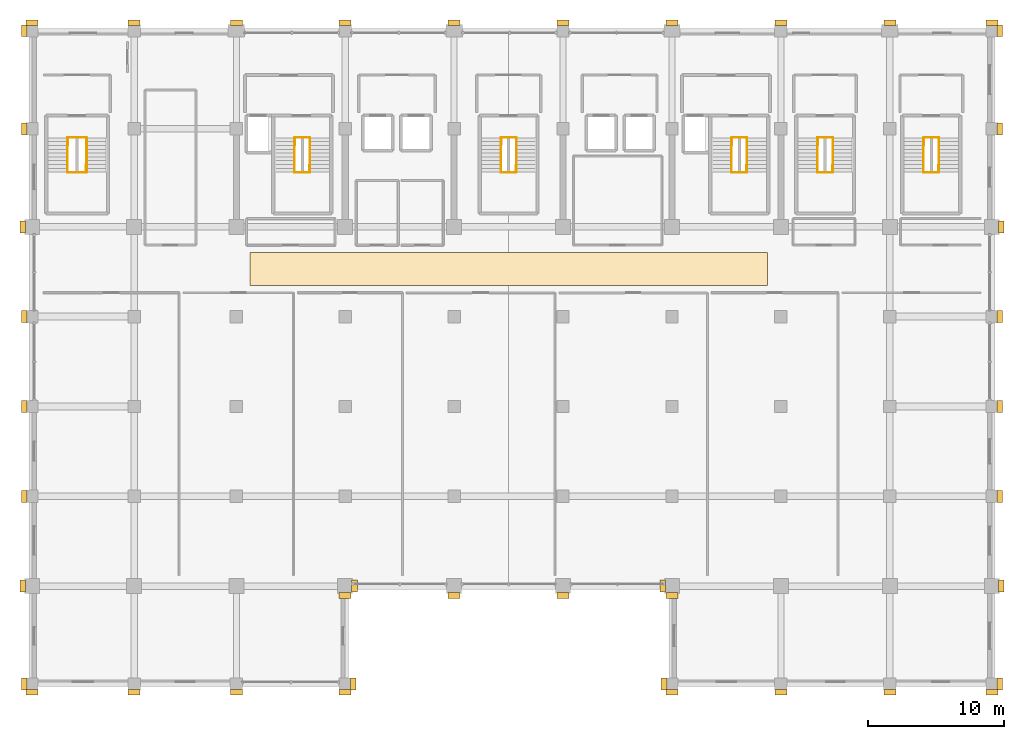
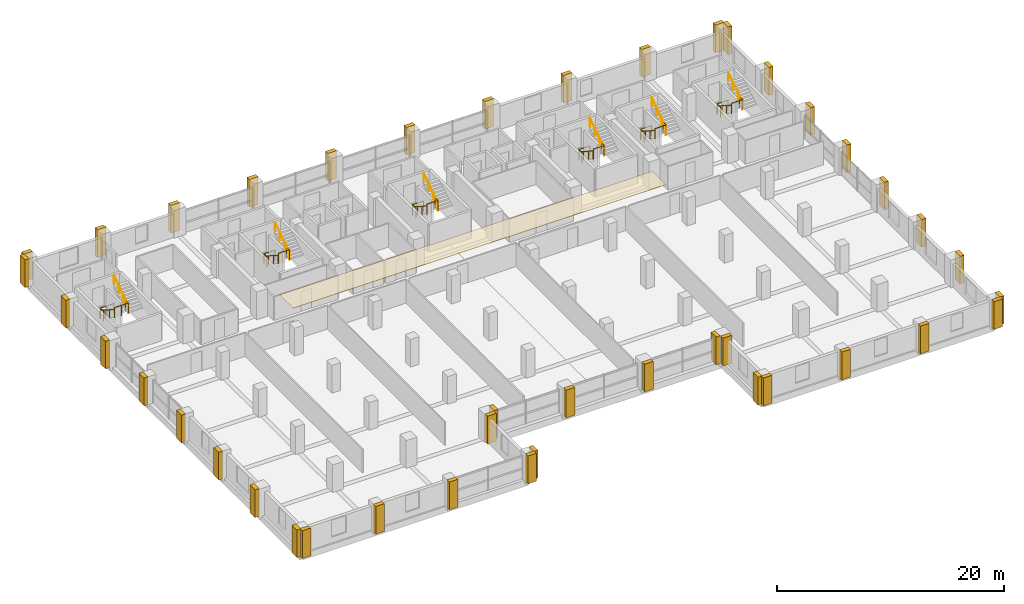
# One storey, part 21 of 21: 43 coverings, 24 railings.
"""IFC4 building model written with IfcOpenShell, lengths in metres."""

from ifc_helpers import new_model, si_unit, direction, frame, origin, origin_2d, place, context, subcontext, project, spatial, rectangle, circle, extrude, material, layer, layer_set, type_object, element, save


model = new_model("IFC4")

# Units and contexts
model_context = context("Model", 3, precision=1e-05, world=origin(), true_north=direction((0.0, 1.0)))
body_context = subcontext(model_context, "Body", "Model", "MODEL_VIEW")
ifc_project = project(units=[si_unit("LENGTHUNIT", "METRE"), si_unit("AREAUNIT", "SQUARE_METRE"), si_unit("VOLUMEUNIT", "CUBIC_METRE"), si_unit("PLANEANGLEUNIT", "RADIAN"), si_unit("MASSUNIT", "GRAM", prefix="KILO")], contexts=[model_context])

# Site, building, storey
site_placement = place(None, origin())
site = spatial("IfcSite", under=ifc_project, at=site_placement, CompositionType="ELEMENT")
building_placement = place(site_placement, origin())
building = spatial("IfcBuilding", under=site, at=building_placement, Name="Akrevak Sports Hall", CompositionType="ELEMENT")
storey_placement = place(building_placement, frame((0.0, 0.0, 27.550048828125)))
storey = spatial("IfcBuildingStorey", under=building, at=storey_placement, Name="L05", CompositionType="ELEMENT", Elevation=27.550048828125)

# Coverings
ifc_material_1 = material(Name="Perforated Acoustic Gypsum Board", Category="gypsum")
ifc_layer_1 = layer(ifc_material_1, 0.0400390625, Name="Perforated Acoustic Gypsum Board")
ifc_layer_set_1 = layer_set([ifc_layer_1], Name="Perforated Acoustic Gypsum Board")
covering_type_1 = type_object("IfcCoveringType", Name="ARC-COV-CLG-ACST", PredefinedType="CEILING", material=ifc_layer_set_1)
covering_placement = place(storey_placement, frame((80.0, 52.10009765625, 2.949951171875), z_axis=(0.0, 0.0, 1.0), x_axis=(1.0, 0.0, 0.0)))
element("IfcCovering", 1, at=covering_placement, inside=storey, type_object=covering_type_1, Name="Corridor Acoustic Ceiling L05", PredefinedType="CEILING", context=body_context, shape_type="SweptSolid", body=[
    extrude(rectangle(XDim=38.0, YDim=2.39990234375, at=origin_2d()), origin(), (0.0, 0.0, 1.0), 0.0400390625),
])
ifc_material_2 = material(Name="Limestone Ashlar", Category="stone")
ifc_layer_2 = layer(ifc_material_2, 0.47998046875, Name="Limestone Ashlar")
ifc_layer_set_2 = layer_set([ifc_layer_2], Name="Limestone Ashlar")
covering_type_2 = type_object("IfcCoveringType", Name="ARC-COV-PIL-LIM", PredefinedType="CLADDING", material=ifc_layer_set_2)
for number, where, z_axis, x_axis, name in (
    (2, (45.0, 21.02001953125, 0.0), (0.0, 0.0, 1.0), (1.0, 0.0, 0.0), "Giant-Order Limestone Pilaster L05-01-01"),
    (3, (52.5, 21.02001953125, 0.0), (0.0, 0.0, 1.0), (1.0, 0.0, 0.0), "Giant-Order Limestone Pilaster L05-01-02"),
    (4, (60.0, 21.02001953125, 0.0), (0.0, 0.0, 1.0), (1.0, 0.0, 0.0), "Giant-Order Limestone Pilaster L05-01-03"),
    (5, (68.0, 21.02001953125, 0.0), (0.0, 0.0, 1.0), (1.0, 0.0, 0.0), "Giant-Order Limestone Pilaster L05-01-04"),
    (6, (68.580078125, 21.60009765625, 0.0), (0.0, 0.0, 1.0), (0.0, 1.0, 0.0), "Giant-Order Limestone Pilaster L05-02-04"),
    (7, (68.679931640625, 28.800048828125, 0.0), (0.0, 0.0, 1.0), (0.0, 1.0, 0.0), "Giant-Order Limestone Pilaster L05-02-05"),
    (8, (68.0, 28.1201171875, 0.0), (0.0, 0.0, 1.0), (1.0, 0.0, 0.0), "Giant-Order Limestone Pilaster L05-03-05"),
    (9, (76.0, 28.1201171875, 0.0), (0.0, 0.0, 1.0), (1.0, 0.0, 0.0), "Giant-Order Limestone Pilaster L05-03-06"),
    (10, (84.0, 28.1201171875, 0.0), (0.0, 0.0, 1.0), (1.0, 0.0, 0.0), "Giant-Order Limestone Pilaster L05-03-07"),
    (11, (92.0, 28.1201171875, 0.0), (0.0, 0.0, 1.0), (1.0, 0.0, 0.0), "Giant-Order Limestone Pilaster L05-03-08"),
    (12, (91.419921875, 21.60009765625, 0.0), (0.0, 0.0, 1.0), (0.0, -1.0, 0.0), "Giant-Order Limestone Pilaster L05-04-09"),
    (13, (91.320068359375, 28.800048828125, 0.0), (0.0, 0.0, 1.0), (0.0, -1.0, 0.0), "Giant-Order Limestone Pilaster L05-04-09"),
    (14, (92.0, 21.02001953125, 0.0), (0.0, 0.0, 1.0), (1.0, 0.0, 0.0), "Giant-Order Limestone Pilaster L05-05-09"),
    (15, (100.0, 21.02001953125, 0.0), (0.0, 0.0, 1.0), (1.0, 0.0, 0.0), "Giant-Order Limestone Pilaster L05-05-10"),
    (16, (108.0, 21.02001953125, 0.0), (0.0, 0.0, 1.0), (1.0, 0.0, 0.0), "Giant-Order Limestone Pilaster L05-05-11"),
    (17, (115.5, 21.02001953125, 0.0), (0.0, 0.0, 1.0), (1.0, 0.0, 0.0), "Giant-Order Limestone Pilaster L05-05-12"),
    (18, (116.080078125, 21.60009765625, 0.0), (0.0, 0.0, 1.0), (0.0, 1.0, 0.0), "Giant-Order Limestone Pilaster L05-06-12"),
    (19, (116.179931640625, 28.800048828125, 0.0), (0.0, 0.0, 1.0), (0.0, 1.0, 0.0), "Giant-Order Limestone Pilaster L05-06-13"),
    (20, (116.080078125, 35.39990234375, 0.0), (0.0, 0.0, 1.0), (0.0, 1.0, 0.0), "Giant-Order Limestone Pilaster L05-06-14"),
    (21, (116.080078125, 42.0, 0.0), (0.0, 0.0, 1.0), (0.0, 1.0, 0.0), "Giant-Order Limestone Pilaster L05-06-15"),
    (22, (116.080078125, 48.60009765625, 0.0), (0.0, 0.0, 1.0), (0.0, 1.0, 0.0), "Giant-Order Limestone Pilaster L05-06-16"),
    (23, (116.179931640625, 55.199951171875, 0.0), (0.0, 0.0, 1.0), (0.0, 1.0, 0.0), "Giant-Order Limestone Pilaster L05-06-17"),
    (24, (116.080078125, 62.39990234375, 0.0), (0.0, 0.0, 1.0), (0.0, 1.0, 0.0), "Giant-Order Limestone Pilaster L05-06-18"),
    (25, (116.080078125, 69.60009765625, 0.0), (0.0, 0.0, 1.0), (0.0, 1.0, 0.0), "Giant-Order Limestone Pilaster L05-06-19"),
    (26, (45.0, 70.179931640625, 0.0), (0.0, 0.0, 1.0), (-1.0, 0.0, 0.0), "Giant-Order Limestone Pilaster L05-07-20"),
    (27, (52.5, 70.179931640625, 0.0), (0.0, 0.0, 1.0), (-1.0, 0.0, 0.0), "Giant-Order Limestone Pilaster L05-07-21"),
    (28, (60.0, 70.179931640625, 0.0), (0.0, 0.0, 1.0), (-1.0, 0.0, 0.0), "Giant-Order Limestone Pilaster L05-07-22"),
    (29, (68.0, 70.179931640625, 0.0), (0.0, 0.0, 1.0), (-1.0, 0.0, 0.0), "Giant-Order Limestone Pilaster L05-07-23"),
    (30, (76.0, 70.179931640625, 0.0), (0.0, 0.0, 1.0), (-1.0, 0.0, 0.0), "Giant-Order Limestone Pilaster L05-07-24"),
    (31, (84.0, 70.179931640625, 0.0), (0.0, 0.0, 1.0), (-1.0, 0.0, 0.0), "Giant-Order Limestone Pilaster L05-07-25"),
    (32, (92.0, 70.179931640625, 0.0), (0.0, 0.0, 1.0), (-1.0, 0.0, 0.0), "Giant-Order Limestone Pilaster L05-07-26"),
    (33, (100.0, 70.179931640625, 0.0), (0.0, 0.0, 1.0), (-1.0, 0.0, 0.0), "Giant-Order Limestone Pilaster L05-07-27"),
    (34, (108.0, 70.179931640625, 0.0), (0.0, 0.0, 1.0), (-1.0, 0.0, 0.0), "Giant-Order Limestone Pilaster L05-07-28"),
    (35, (115.5, 70.179931640625, 0.0), (0.0, 0.0, 1.0), (-1.0, 0.0, 0.0), "Giant-Order Limestone Pilaster L05-07-28"),
    (36, (44.419921875, 21.60009765625, 0.0), (0.0, 0.0, 1.0), (0.0, -1.0, 0.0), "Giant-Order Limestone Pilaster L05-08-28"),
    (37, (44.320068359375, 28.800048828125, 0.0), (0.0, 0.0, 1.0), (0.0, -1.0, 0.0), "Giant-Order Limestone Pilaster L05-08-29"),
    (38, (44.419921875, 35.39990234375, 0.0), (0.0, 0.0, 1.0), (0.0, -1.0, 0.0), "Giant-Order Limestone Pilaster L05-08-30"),
    (39, (44.419921875, 42.0, 0.0), (0.0, 0.0, 1.0), (0.0, -1.0, 0.0), "Giant-Order Limestone Pilaster L05-08-31"),
    (40, (44.419921875, 48.60009765625, 0.0), (0.0, 0.0, 1.0), (0.0, -1.0, 0.0), "Giant-Order Limestone Pilaster L05-08-32"),
    (41, (44.320068359375, 55.199951171875, 0.0), (0.0, 0.0, 1.0), (0.0, -1.0, 0.0), "Giant-Order Limestone Pilaster L05-08-33"),
    (42, (44.419921875, 62.39990234375, 0.0), (0.0, 0.0, 1.0), (0.0, -1.0, 0.0), "Giant-Order Limestone Pilaster L05-08-34"),
    (43, (44.419921875, 69.60009765625, 0.0), (0.0, 0.0, 1.0), (0.0, -1.0, 0.0), "Giant-Order Limestone Pilaster L05-08-34"),
):
    element("IfcCovering", number, at=place(storey_placement, frame(where, z_axis=z_axis, x_axis=x_axis)), inside=storey, type_object=covering_type_2, Name=name, PredefinedType="CLADDING", context=body_context, shape_type="SweptSolid", body=[
        extrude(rectangle(XDim=0.8798828125, YDim=0.419921875, at=origin_2d()), origin(), (0.0, 0.0, 1.0), 2.989990234375),
    ])

# Railings
ifc_material_3 = material(Name="Painted Architectural Balustrade Steel", Category="steel")
ifc_layer_3 = layer(ifc_material_3, 0.06005859375, Name="Painted Architectural Balustrade Steel")
ifc_layer_set_3 = layer_set([ifc_layer_3], Name="Painted Architectural Balustrade Steel")
railing_type_1 = type_object("IfcRailingType", Name="ARC-RL-GRD-1120", PredefinedType="GUARDRAIL", material=ifc_layer_set_3)
railing_1_placement = place(storey_placement, frame((64.31005859375, 61.215087890625, 0.0)))
element("IfcRailing", 44, at=railing_1_placement, inside=storey, type_object=railing_type_1, Name="Stair Floor Landing Well Guard ST1 (L05)", PredefinedType="GUARDRAIL", context=body_context, shape_type="SweptSolid", body=[
    extrude(circle(Radius=0.02392578125, at=origin_2d()), frame((0.0, 0.0, 1.09619140625), z_axis=(0.0, 1.0, 0.0), x_axis=(-1.0, 0.0, 0.0)), (0.0, 0.0, 1.0), 0.5498046875),
    extrude(circle(Radius=0.02392578125, at=origin_2d()), frame((0.0, 0.5498046875, 1.09619140625), z_axis=(1.0, 0.0, 0.0), x_axis=(0.0, 1.0, 0.0)), (0.0, 0.0, 1.0), 1.10986328125),
    extrude(circle(Radius=0.02099609375, at=origin_2d()), origin(), (0.0, 0.0, 1.0), 1.072021484375),
    extrude(circle(Radius=0.02099609375, at=origin_2d()), frame((0.0, 0.5498046875, 0.0)), (0.0, 0.0, 1.0), 1.072021484375),
    extrude(circle(Radius=0.02099609375, at=origin_2d()), frame((1.10986328125, 0.5498046875, 0.0)), (0.0, 0.0, 1.0), 1.072021484375),
])
railing_2_placement = place(storey_placement, frame((64.280029296875, 59.18505859375, 1.625)))
element("IfcRailing", 45, at=railing_2_placement, inside=storey, type_object=railing_type_1, Name="Stair Landing Well Guard ST1-L05-1", PredefinedType="GUARDRAIL", context=body_context, shape_type="SweptSolid", body=[
    extrude(circle(Radius=0.02392578125, at=origin_2d()), frame((0.0, 0.0, 1.09619140625), z_axis=(1.0, 0.0, 0.0), x_axis=(0.0, 1.0, 0.0)), (0.0, 0.0, 1.0), 1.10986328125),
    extrude(circle(Radius=0.02392578125, at=origin_2d()), frame((1.10986328125, 0.0, 1.09619140625), z_axis=(0.0, 1.0, 0.0), x_axis=(-1.0, 0.0, 0.0)), (0.0, 0.0, 1.0), 0.52001953125),
    extrude(circle(Radius=0.02099609375, at=origin_2d()), origin(), (0.0, 0.0, 1.0), 1.072021484375),
    extrude(circle(Radius=0.02099609375, at=origin_2d()), frame((1.10986328125, 0.0, 0.0)), (0.0, 0.0, 1.0), 1.072021484375),
    extrude(circle(Radius=0.02099609375, at=origin_2d()), frame((1.10986328125, 0.52001953125, 0.0)), (0.0, 0.0, 1.0), 1.072021484375),
])
railing_3_placement = place(storey_placement, frame((96.409912109375, 61.215087890625, 0.0)))
element("IfcRailing", 46, at=railing_3_placement, inside=storey, type_object=railing_type_1, Name="Stair Floor Landing Well Guard ST2 (L05)", PredefinedType="GUARDRAIL", context=body_context, shape_type="SweptSolid", body=[
    extrude(circle(Radius=0.02392578125, at=origin_2d()), frame((0.0, 0.0, 1.09619140625), z_axis=(0.0, 1.0, 0.0), x_axis=(-1.0, 0.0, 0.0)), (0.0, 0.0, 1.0), 0.5498046875),
    extrude(circle(Radius=0.02392578125, at=origin_2d()), frame((0.0, 0.5498046875, 1.09619140625), z_axis=(1.0, 0.0, 0.0), x_axis=(0.0, 1.0, 0.0)), (0.0, 0.0, 1.0), 1.110107421875),
    extrude(circle(Radius=0.02099609375, at=origin_2d()), origin(), (0.0, 0.0, 1.0), 1.072021484375),
    extrude(circle(Radius=0.02099609375, at=origin_2d()), frame((0.0, 0.5498046875, 0.0)), (0.0, 0.0, 1.0), 1.072021484375),
    extrude(circle(Radius=0.02099609375, at=origin_2d()), frame((1.110107421875, 0.5498046875, 0.0)), (0.0, 0.0, 1.0), 1.072021484375),
])
railing_4_placement = place(storey_placement, frame((96.3798828125, 59.18505859375, 1.625)))
element("IfcRailing", 47, at=railing_4_placement, inside=storey, type_object=railing_type_1, Name="Stair Landing Well Guard ST2-L05-1", PredefinedType="GUARDRAIL", context=body_context, shape_type="SweptSolid", body=[
    extrude(circle(Radius=0.02392578125, at=origin_2d()), frame((0.0, 0.0, 1.09619140625), z_axis=(1.0, 0.0, 0.0), x_axis=(0.0, 1.0, 0.0)), (0.0, 0.0, 1.0), 1.110107421875),
    extrude(circle(Radius=0.02392578125, at=origin_2d()), frame((1.110107421875, 0.0, 1.09619140625), z_axis=(0.0, 1.0, 0.0), x_axis=(-1.0, 0.0, 0.0)), (0.0, 0.0, 1.0), 0.52001953125),
    extrude(circle(Radius=0.02099609375, at=origin_2d()), origin(), (0.0, 0.0, 1.0), 1.072021484375),
    extrude(circle(Radius=0.02099609375, at=origin_2d()), frame((1.110107421875, 0.0, 0.0)), (0.0, 0.0, 1.0), 1.072021484375),
    extrude(circle(Radius=0.02099609375, at=origin_2d()), frame((1.110107421875, 0.52001953125, 0.0)), (0.0, 0.0, 1.0), 1.072021484375),
])
railing_5_placement = place(storey_placement, frame((79.4599609375, 61.215087890625, 0.0)))
element("IfcRailing", 48, at=railing_5_placement, inside=storey, type_object=railing_type_1, Name="Stair Floor Landing Well Guard ST3 (L05)", PredefinedType="GUARDRAIL", context=body_context, shape_type="SweptSolid", body=[
    extrude(circle(Radius=0.02392578125, at=origin_2d()), frame((0.0, 0.0, 1.09619140625), z_axis=(0.0, 1.0, 0.0), x_axis=(-1.0, 0.0, 0.0)), (0.0, 0.0, 1.0), 0.5498046875),
    extrude(circle(Radius=0.02392578125, at=origin_2d()), frame((0.0, 0.5498046875, 1.09619140625), z_axis=(1.0, 0.0, 0.0), x_axis=(0.0, 1.0, 0.0)), (0.0, 0.0, 1.0), 1.110107421875),
    extrude(circle(Radius=0.02099609375, at=origin_2d()), origin(), (0.0, 0.0, 1.0), 1.072021484375),
    extrude(circle(Radius=0.02099609375, at=origin_2d()), frame((0.0, 0.5498046875, 0.0)), (0.0, 0.0, 1.0), 1.072021484375),
    extrude(circle(Radius=0.02099609375, at=origin_2d()), frame((1.110107421875, 0.5498046875, 0.0)), (0.0, 0.0, 1.0), 1.072021484375),
])
railing_6_placement = place(storey_placement, frame((79.429931640625, 59.18505859375, 1.625)))
element("IfcRailing", 49, at=railing_6_placement, inside=storey, type_object=railing_type_1, Name="Stair Landing Well Guard ST3-L05-1", PredefinedType="GUARDRAIL", context=body_context, shape_type="SweptSolid", body=[
    extrude(circle(Radius=0.02392578125, at=origin_2d()), frame((0.0, 0.0, 1.09619140625), z_axis=(1.0, 0.0, 0.0), x_axis=(0.0, 1.0, 0.0)), (0.0, 0.0, 1.0), 1.110107421875),
    extrude(circle(Radius=0.02392578125, at=origin_2d()), frame((1.110107421875, 0.0, 1.09619140625), z_axis=(0.0, 1.0, 0.0), x_axis=(-1.0, 0.0, 0.0)), (0.0, 0.0, 1.0), 0.52001953125),
    extrude(circle(Radius=0.02099609375, at=origin_2d()), origin(), (0.0, 0.0, 1.0), 1.072021484375),
    extrude(circle(Radius=0.02099609375, at=origin_2d()), frame((1.110107421875, 0.0, 0.0)), (0.0, 0.0, 1.0), 1.072021484375),
    extrude(circle(Radius=0.02099609375, at=origin_2d()), frame((1.110107421875, 0.52001953125, 0.0)), (0.0, 0.0, 1.0), 1.072021484375),
])
railing_7_placement = place(storey_placement, frame((47.6201171875, 61.215087890625, 0.0)))
element("IfcRailing", 50, at=railing_7_placement, inside=storey, type_object=railing_type_1, Name="Stair Floor Landing Well Guard ST4 (L05)", PredefinedType="GUARDRAIL", context=body_context, shape_type="SweptSolid", body=[
    extrude(circle(Radius=0.02392578125, at=origin_2d()), frame((0.0, 0.0, 1.09619140625), z_axis=(0.0, 1.0, 0.0), x_axis=(-1.0, 0.0, 0.0)), (0.0, 0.0, 1.0), 0.5498046875),
    extrude(circle(Radius=0.02392578125, at=origin_2d()), frame((0.0, 0.5498046875, 1.09619140625), z_axis=(1.0, 0.0, 0.0), x_axis=(0.0, 1.0, 0.0)), (0.0, 0.0, 1.0), 1.389892578125),
    extrude(circle(Radius=0.02099609375, at=origin_2d()), origin(), (0.0, 0.0, 1.0), 1.072021484375),
    extrude(circle(Radius=0.02099609375, at=origin_2d()), frame((0.0, 0.5498046875, 0.0)), (0.0, 0.0, 1.0), 1.072021484375),
    extrude(circle(Radius=0.02099609375, at=origin_2d()), frame((0.69482421875, 0.5498046875, 0.0)), (0.0, 0.0, 1.0), 1.072021484375),
    extrude(circle(Radius=0.02099609375, at=origin_2d()), frame((1.389892578125, 0.5498046875, 0.0)), (0.0, 0.0, 1.0), 1.072021484375),
])
railing_8_placement = place(storey_placement, frame((47.590087890625, 59.18505859375, 1.625)))
element("IfcRailing", 51, at=railing_8_placement, inside=storey, type_object=railing_type_1, Name="Stair Landing Well Guard ST4-L05-1", PredefinedType="GUARDRAIL", context=body_context, shape_type="SweptSolid", body=[
    extrude(circle(Radius=0.02392578125, at=origin_2d()), frame((0.0, 0.0, 1.09619140625), z_axis=(1.0, 0.0, 0.0), x_axis=(0.0, 1.0, 0.0)), (0.0, 0.0, 1.0), 1.389892578125),
    extrude(circle(Radius=0.02392578125, at=origin_2d()), frame((1.389892578125, 0.0, 1.09619140625), z_axis=(0.0, 1.0, 0.0), x_axis=(-1.0, 0.0, 0.0)), (0.0, 0.0, 1.0), 0.52001953125),
    extrude(circle(Radius=0.02099609375, at=origin_2d()), origin(), (0.0, 0.0, 1.0), 1.072021484375),
    extrude(circle(Radius=0.02099609375, at=origin_2d()), frame((0.69482421875, 0.0, 0.0)), (0.0, 0.0, 1.0), 1.072021484375),
    extrude(circle(Radius=0.02099609375, at=origin_2d()), frame((1.389892578125, 0.0, 0.0)), (0.0, 0.0, 1.0), 1.072021484375),
    extrude(circle(Radius=0.02099609375, at=origin_2d()), frame((1.389892578125, 0.52001953125, 0.0)), (0.0, 0.0, 1.0), 1.072021484375),
])
railing_9_placement = place(storey_placement, frame((102.7099609375, 61.215087890625, 0.0)))
element("IfcRailing", 52, at=railing_9_placement, inside=storey, type_object=railing_type_1, Name="Stair Floor Landing Well Guard ST10 (L05)", PredefinedType="GUARDRAIL", context=body_context, shape_type="SweptSolid", body=[
    extrude(circle(Radius=0.02392578125, at=origin_2d()), frame((0.0, 0.0, 1.09619140625), z_axis=(0.0, 1.0, 0.0), x_axis=(-1.0, 0.0, 0.0)), (0.0, 0.0, 1.0), 0.5498046875),
    extrude(circle(Radius=0.02392578125, at=origin_2d()), frame((0.0, 0.5498046875, 1.09619140625), z_axis=(1.0, 0.0, 0.0), x_axis=(0.0, 1.0, 0.0)), (0.0, 0.0, 1.0), 1.110107421875),
    extrude(circle(Radius=0.02099609375, at=origin_2d()), origin(), (0.0, 0.0, 1.0), 1.072021484375),
    extrude(circle(Radius=0.02099609375, at=origin_2d()), frame((0.0, 0.5498046875, 0.0)), (0.0, 0.0, 1.0), 1.072021484375),
    extrude(circle(Radius=0.02099609375, at=origin_2d()), frame((1.110107421875, 0.5498046875, 0.0)), (0.0, 0.0, 1.0), 1.072021484375),
])
railing_10_placement = place(storey_placement, frame((102.679931640625, 59.18505859375, 1.625)))
element("IfcRailing", 53, at=railing_10_placement, inside=storey, type_object=railing_type_1, Name="Stair Landing Well Guard ST10-L05-1", PredefinedType="GUARDRAIL", context=body_context, shape_type="SweptSolid", body=[
    extrude(circle(Radius=0.02392578125, at=origin_2d()), frame((0.0, 0.0, 1.09619140625), z_axis=(1.0, 0.0, 0.0), x_axis=(0.0, 1.0, 0.0)), (0.0, 0.0, 1.0), 1.110107421875),
    extrude(circle(Radius=0.02392578125, at=origin_2d()), frame((1.110107421875, 0.0, 1.09619140625), z_axis=(0.0, 1.0, 0.0), x_axis=(-1.0, 0.0, 0.0)), (0.0, 0.0, 1.0), 0.52001953125),
    extrude(circle(Radius=0.02099609375, at=origin_2d()), origin(), (0.0, 0.0, 1.0), 1.072021484375),
    extrude(circle(Radius=0.02099609375, at=origin_2d()), frame((1.110107421875, 0.0, 0.0)), (0.0, 0.0, 1.0), 1.072021484375),
    extrude(circle(Radius=0.02099609375, at=origin_2d()), frame((1.110107421875, 0.52001953125, 0.0)), (0.0, 0.0, 1.0), 1.072021484375),
])
railing_11_placement = place(storey_placement, frame((110.510009765625, 61.215087890625, 0.0)))
element("IfcRailing", 54, at=railing_11_placement, inside=storey, type_object=railing_type_1, Name="Stair Floor Landing Well Guard ST11 (L05)", PredefinedType="GUARDRAIL", context=body_context, shape_type="SweptSolid", body=[
    extrude(circle(Radius=0.02392578125, at=origin_2d()), frame((0.0, 0.0, 1.09619140625), z_axis=(0.0, 1.0, 0.0), x_axis=(-1.0, 0.0, 0.0)), (0.0, 0.0, 1.0), 0.5498046875),
    extrude(circle(Radius=0.02392578125, at=origin_2d()), frame((0.0, 0.5498046875, 1.09619140625), z_axis=(1.0, 0.0, 0.0), x_axis=(0.0, 1.0, 0.0)), (0.0, 0.0, 1.0), 1.110107421875),
    extrude(circle(Radius=0.02099609375, at=origin_2d()), origin(), (0.0, 0.0, 1.0), 1.072021484375),
    extrude(circle(Radius=0.02099609375, at=origin_2d()), frame((0.0, 0.5498046875, 0.0)), (0.0, 0.0, 1.0), 1.072021484375),
    extrude(circle(Radius=0.02099609375, at=origin_2d()), frame((1.110107421875, 0.5498046875, 0.0)), (0.0, 0.0, 1.0), 1.072021484375),
])
railing_12_placement = place(storey_placement, frame((110.47998046875, 59.18505859375, 1.625)))
element("IfcRailing", 55, at=railing_12_placement, inside=storey, type_object=railing_type_1, Name="Stair Landing Well Guard ST11-L05-1", PredefinedType="GUARDRAIL", context=body_context, shape_type="SweptSolid", body=[
    extrude(circle(Radius=0.02392578125, at=origin_2d()), frame((0.0, 0.0, 1.09619140625), z_axis=(1.0, 0.0, 0.0), x_axis=(0.0, 1.0, 0.0)), (0.0, 0.0, 1.0), 1.110107421875),
    extrude(circle(Radius=0.02392578125, at=origin_2d()), frame((1.110107421875, 0.0, 1.09619140625), z_axis=(0.0, 1.0, 0.0), x_axis=(-1.0, 0.0, 0.0)), (0.0, 0.0, 1.0), 0.52001953125),
    extrude(circle(Radius=0.02099609375, at=origin_2d()), origin(), (0.0, 0.0, 1.0), 1.072021484375),
    extrude(circle(Radius=0.02099609375, at=origin_2d()), frame((1.110107421875, 0.0, 0.0)), (0.0, 0.0, 1.0), 1.072021484375),
    extrude(circle(Radius=0.02099609375, at=origin_2d()), frame((1.110107421875, 0.52001953125, 0.0)), (0.0, 0.0, 1.0), 1.072021484375),
])
ifc_material_4 = material(Name="Brushed Stainless Steel 304", Category="steel")
ifc_layer_4 = layer(ifc_material_4, 0.050048828125, Name="Brushed Stainless Steel 304")
ifc_layer_set_4 = layer_set([ifc_layer_4], Name="Brushed Stainless Steel 304")
railing_type_2 = type_object("IfcRailingType", Name="ARC-RL-HND-900", PredefinedType="HANDRAIL", material=ifc_layer_set_4)
railing_13_placement = place(storey_placement, frame((64.280029296875, 61.735107421875, 0.0)))
element("IfcRailing", 56, at=railing_13_placement, inside=storey, type_object=railing_type_2, Name="Stair Handrail ST1-L05-F1", PredefinedType="HANDRAIL", context=body_context, shape_type="SweptSolid", body=[
    extrude(circle(Radius=0.02392578125, at=origin_2d()), frame((0.0, 0.0, 0.8759765625), z_axis=(0.0, -0.840421059866, 0.541933983188), x_axis=(1.0, 0.0, 0.0)), (0.0, 0.0, 1.0), 2.99853515625),
    extrude(circle(Radius=0.02099609375, at=origin_2d()), origin(), (0.0, 0.0, 1.0), 0.851806640625),
    extrude(circle(Radius=0.02099609375, at=origin_2d()), frame((0.0, -0.840087890625, 0.541748046875)), (0.0, 0.0, 1.0), 0.851806640625),
    extrude(circle(Radius=0.02099609375, at=origin_2d()), frame((0.0, -1.679931640625, 1.083251953125)), (0.0, 0.0, 1.0), 0.851806640625),
    extrude(circle(Radius=0.02099609375, at=origin_2d()), frame((0.0, -2.52001953125, 1.625)), (0.0, 0.0, 1.0), 0.851806640625),
])
railing_14_placement = place(storey_placement, frame((65.419921875, 59.215087890625, 1.625)))
element("IfcRailing", 57, at=railing_14_placement, inside=storey, type_object=railing_type_2, Name="Stair Handrail ST1-L05-F2", PredefinedType="HANDRAIL", context=body_context, shape_type="SweptSolid", body=[
    extrude(circle(Radius=0.02392578125, at=origin_2d()), frame((0.0, 0.0, 0.8759765625), z_axis=(0.0, 0.840421059866, 0.541933983188), x_axis=(-1.0, 0.0, 0.0)), (0.0, 0.0, 1.0), 2.99853515625),
    extrude(circle(Radius=0.02099609375, at=origin_2d()), origin(), (0.0, 0.0, 1.0), 0.851806640625),
    extrude(circle(Radius=0.02099609375, at=origin_2d()), frame((0.0, 0.840087890625, 0.541748046875)), (0.0, 0.0, 1.0), 0.851806640625),
    extrude(circle(Radius=0.02099609375, at=origin_2d()), frame((0.0, 1.679931640625, 1.083251953125)), (0.0, 0.0, 1.0), 0.851806640625),
    extrude(circle(Radius=0.02099609375, at=origin_2d()), frame((0.0, 2.52001953125, 1.625)), (0.0, 0.0, 1.0), 0.851806640625),
])
railing_15_placement = place(storey_placement, frame((96.3798828125, 61.735107421875, 0.0)))
element("IfcRailing", 58, at=railing_15_placement, inside=storey, type_object=railing_type_2, Name="Stair Handrail ST2-L05-F1", PredefinedType="HANDRAIL", context=body_context, shape_type="SweptSolid", body=[
    extrude(circle(Radius=0.02392578125, at=origin_2d()), frame((0.0, 0.0, 0.8759765625), z_axis=(0.0, -0.840421059866, 0.541933983188), x_axis=(1.0, 0.0, 0.0)), (0.0, 0.0, 1.0), 2.99853515625),
    extrude(circle(Radius=0.02099609375, at=origin_2d()), origin(), (0.0, 0.0, 1.0), 0.851806640625),
    extrude(circle(Radius=0.02099609375, at=origin_2d()), frame((0.0, -0.840087890625, 0.541748046875)), (0.0, 0.0, 1.0), 0.851806640625),
    extrude(circle(Radius=0.02099609375, at=origin_2d()), frame((0.0, -1.679931640625, 1.083251953125)), (0.0, 0.0, 1.0), 0.851806640625),
    extrude(circle(Radius=0.02099609375, at=origin_2d()), frame((0.0, -2.52001953125, 1.625)), (0.0, 0.0, 1.0), 0.851806640625),
])
railing_16_placement = place(storey_placement, frame((97.52001953125, 59.215087890625, 1.625)))
element("IfcRailing", 59, at=railing_16_placement, inside=storey, type_object=railing_type_2, Name="Stair Handrail ST2-L05-F2", PredefinedType="HANDRAIL", context=body_context, shape_type="SweptSolid", body=[
    extrude(circle(Radius=0.02392578125, at=origin_2d()), frame((0.0, 0.0, 0.8759765625), z_axis=(0.0, 0.840421059866, 0.541933983188), x_axis=(-1.0, 0.0, 0.0)), (0.0, 0.0, 1.0), 2.99853515625),
    extrude(circle(Radius=0.02099609375, at=origin_2d()), origin(), (0.0, 0.0, 1.0), 0.851806640625),
    extrude(circle(Radius=0.02099609375, at=origin_2d()), frame((0.0, 0.840087890625, 0.541748046875)), (0.0, 0.0, 1.0), 0.851806640625),
    extrude(circle(Radius=0.02099609375, at=origin_2d()), frame((0.0, 1.679931640625, 1.083251953125)), (0.0, 0.0, 1.0), 0.851806640625),
    extrude(circle(Radius=0.02099609375, at=origin_2d()), frame((0.0, 2.52001953125, 1.625)), (0.0, 0.0, 1.0), 0.851806640625),
])
railing_17_placement = place(storey_placement, frame((79.429931640625, 61.735107421875, 0.0)))
element("IfcRailing", 60, at=railing_17_placement, inside=storey, type_object=railing_type_2, Name="Stair Handrail ST3-L05-F1", PredefinedType="HANDRAIL", context=body_context, shape_type="SweptSolid", body=[
    extrude(circle(Radius=0.02392578125, at=origin_2d()), frame((0.0, 0.0, 0.8759765625), z_axis=(0.0, -0.840421059866, 0.541933983188), x_axis=(1.0, 0.0, 0.0)), (0.0, 0.0, 1.0), 2.99853515625),
    extrude(circle(Radius=0.02099609375, at=origin_2d()), origin(), (0.0, 0.0, 1.0), 0.851806640625),
    extrude(circle(Radius=0.02099609375, at=origin_2d()), frame((0.0, -0.840087890625, 0.541748046875)), (0.0, 0.0, 1.0), 0.851806640625),
    extrude(circle(Radius=0.02099609375, at=origin_2d()), frame((0.0, -1.679931640625, 1.083251953125)), (0.0, 0.0, 1.0), 0.851806640625),
    extrude(circle(Radius=0.02099609375, at=origin_2d()), frame((0.0, -2.52001953125, 1.625)), (0.0, 0.0, 1.0), 0.851806640625),
])
railing_18_placement = place(storey_placement, frame((80.570068359375, 59.215087890625, 1.625)))
element("IfcRailing", 61, at=railing_18_placement, inside=storey, type_object=railing_type_2, Name="Stair Handrail ST3-L05-F2", PredefinedType="HANDRAIL", context=body_context, shape_type="SweptSolid", body=[
    extrude(circle(Radius=0.02392578125, at=origin_2d()), frame((0.0, 0.0, 0.8759765625), z_axis=(0.0, 0.840421059866, 0.541933983188), x_axis=(-1.0, 0.0, 0.0)), (0.0, 0.0, 1.0), 2.99853515625),
    extrude(circle(Radius=0.02099609375, at=origin_2d()), origin(), (0.0, 0.0, 1.0), 0.851806640625),
    extrude(circle(Radius=0.02099609375, at=origin_2d()), frame((0.0, 0.840087890625, 0.541748046875)), (0.0, 0.0, 1.0), 0.851806640625),
    extrude(circle(Radius=0.02099609375, at=origin_2d()), frame((0.0, 1.679931640625, 1.083251953125)), (0.0, 0.0, 1.0), 0.851806640625),
    extrude(circle(Radius=0.02099609375, at=origin_2d()), frame((0.0, 2.52001953125, 1.625)), (0.0, 0.0, 1.0), 0.851806640625),
])
railing_19_placement = place(storey_placement, frame((47.590087890625, 61.735107421875, 0.0)))
element("IfcRailing", 62, at=railing_19_placement, inside=storey, type_object=railing_type_2, Name="Stair Handrail ST4-L05-F1", PredefinedType="HANDRAIL", context=body_context, shape_type="SweptSolid", body=[
    extrude(circle(Radius=0.02392578125, at=origin_2d()), frame((0.0, 0.0, 0.8759765625), z_axis=(0.0, -0.840421059866, 0.541933983188), x_axis=(1.0, 0.0, 0.0)), (0.0, 0.0, 1.0), 2.99853515625),
    extrude(circle(Radius=0.02099609375, at=origin_2d()), origin(), (0.0, 0.0, 1.0), 0.851806640625),
    extrude(circle(Radius=0.02099609375, at=origin_2d()), frame((0.0, -0.840087890625, 0.541748046875)), (0.0, 0.0, 1.0), 0.851806640625),
    extrude(circle(Radius=0.02099609375, at=origin_2d()), frame((0.0, -1.679931640625, 1.083251953125)), (0.0, 0.0, 1.0), 0.851806640625),
    extrude(circle(Radius=0.02099609375, at=origin_2d()), frame((0.0, -2.52001953125, 1.625)), (0.0, 0.0, 1.0), 0.851806640625),
])
railing_20_placement = place(storey_placement, frame((49.010009765625, 59.215087890625, 1.625)))
element("IfcRailing", 63, at=railing_20_placement, inside=storey, type_object=railing_type_2, Name="Stair Handrail ST4-L05-F2", PredefinedType="HANDRAIL", context=body_context, shape_type="SweptSolid", body=[
    extrude(circle(Radius=0.02392578125, at=origin_2d()), frame((0.0, 0.0, 0.8759765625), z_axis=(0.0, 0.840421059866, 0.541933983188), x_axis=(-1.0, 0.0, 0.0)), (0.0, 0.0, 1.0), 2.99853515625),
    extrude(circle(Radius=0.02099609375, at=origin_2d()), origin(), (0.0, 0.0, 1.0), 0.851806640625),
    extrude(circle(Radius=0.02099609375, at=origin_2d()), frame((0.0, 0.840087890625, 0.541748046875)), (0.0, 0.0, 1.0), 0.851806640625),
    extrude(circle(Radius=0.02099609375, at=origin_2d()), frame((0.0, 1.679931640625, 1.083251953125)), (0.0, 0.0, 1.0), 0.851806640625),
    extrude(circle(Radius=0.02099609375, at=origin_2d()), frame((0.0, 2.52001953125, 1.625)), (0.0, 0.0, 1.0), 0.851806640625),
])
railing_21_placement = place(storey_placement, frame((102.679931640625, 61.735107421875, 0.0)))
element("IfcRailing", 64, at=railing_21_placement, inside=storey, type_object=railing_type_2, Name="Stair Handrail ST10-L05-F1", PredefinedType="HANDRAIL", context=body_context, shape_type="SweptSolid", body=[
    extrude(circle(Radius=0.02392578125, at=origin_2d()), frame((0.0, 0.0, 0.8759765625), z_axis=(0.0, -0.840421059866, 0.541933983188), x_axis=(1.0, 0.0, 0.0)), (0.0, 0.0, 1.0), 2.99853515625),
    extrude(circle(Radius=0.02099609375, at=origin_2d()), origin(), (0.0, 0.0, 1.0), 0.851806640625),
    extrude(circle(Radius=0.02099609375, at=origin_2d()), frame((0.0, -0.840087890625, 0.541748046875)), (0.0, 0.0, 1.0), 0.851806640625),
    extrude(circle(Radius=0.02099609375, at=origin_2d()), frame((0.0, -1.679931640625, 1.083251953125)), (0.0, 0.0, 1.0), 0.851806640625),
    extrude(circle(Radius=0.02099609375, at=origin_2d()), frame((0.0, -2.52001953125, 1.625)), (0.0, 0.0, 1.0), 0.851806640625),
])
railing_22_placement = place(storey_placement, frame((103.820068359375, 59.215087890625, 1.625)))
element("IfcRailing", 65, at=railing_22_placement, inside=storey, type_object=railing_type_2, Name="Stair Handrail ST10-L05-F2", PredefinedType="HANDRAIL", context=body_context, shape_type="SweptSolid", body=[
    extrude(circle(Radius=0.02392578125, at=origin_2d()), frame((0.0, 0.0, 0.8759765625), z_axis=(0.0, 0.840421059866, 0.541933983188), x_axis=(-1.0, 0.0, 0.0)), (0.0, 0.0, 1.0), 2.99853515625),
    extrude(circle(Radius=0.02099609375, at=origin_2d()), origin(), (0.0, 0.0, 1.0), 0.851806640625),
    extrude(circle(Radius=0.02099609375, at=origin_2d()), frame((0.0, 0.840087890625, 0.541748046875)), (0.0, 0.0, 1.0), 0.851806640625),
    extrude(circle(Radius=0.02099609375, at=origin_2d()), frame((0.0, 1.679931640625, 1.083251953125)), (0.0, 0.0, 1.0), 0.851806640625),
    extrude(circle(Radius=0.02099609375, at=origin_2d()), frame((0.0, 2.52001953125, 1.625)), (0.0, 0.0, 1.0), 0.851806640625),
])
railing_23_placement = place(storey_placement, frame((110.47998046875, 61.735107421875, 0.0)))
element("IfcRailing", 66, at=railing_23_placement, inside=storey, type_object=railing_type_2, Name="Stair Handrail ST11-L05-F1", PredefinedType="HANDRAIL", context=body_context, shape_type="SweptSolid", body=[
    extrude(circle(Radius=0.02392578125, at=origin_2d()), frame((0.0, 0.0, 0.8759765625), z_axis=(0.0, -0.840421059866, 0.541933983188), x_axis=(1.0, 0.0, 0.0)), (0.0, 0.0, 1.0), 2.99853515625),
    extrude(circle(Radius=0.02099609375, at=origin_2d()), origin(), (0.0, 0.0, 1.0), 0.851806640625),
    extrude(circle(Radius=0.02099609375, at=origin_2d()), frame((0.0, -0.840087890625, 0.541748046875)), (0.0, 0.0, 1.0), 0.851806640625),
    extrude(circle(Radius=0.02099609375, at=origin_2d()), frame((0.0, -1.679931640625, 1.083251953125)), (0.0, 0.0, 1.0), 0.851806640625),
    extrude(circle(Radius=0.02099609375, at=origin_2d()), frame((0.0, -2.52001953125, 1.625)), (0.0, 0.0, 1.0), 0.851806640625),
])
railing_24_placement = place(storey_placement, frame((111.6201171875, 59.215087890625, 1.625)))
element("IfcRailing", 67, at=railing_24_placement, inside=storey, type_object=railing_type_2, Name="Stair Handrail ST11-L05-F2", PredefinedType="HANDRAIL", context=body_context, shape_type="SweptSolid", body=[
    extrude(circle(Radius=0.02392578125, at=origin_2d()), frame((0.0, 0.0, 0.8759765625), z_axis=(0.0, 0.840421059866, 0.541933983188), x_axis=(-1.0, 0.0, 0.0)), (0.0, 0.0, 1.0), 2.99853515625),
    extrude(circle(Radius=0.02099609375, at=origin_2d()), origin(), (0.0, 0.0, 1.0), 0.851806640625),
    extrude(circle(Radius=0.02099609375, at=origin_2d()), frame((0.0, 0.840087890625, 0.541748046875)), (0.0, 0.0, 1.0), 0.851806640625),
    extrude(circle(Radius=0.02099609375, at=origin_2d()), frame((0.0, 1.679931640625, 1.083251953125)), (0.0, 0.0, 1.0), 0.851806640625),
    extrude(circle(Radius=0.02099609375, at=origin_2d()), frame((0.0, 2.52001953125, 1.625)), (0.0, 0.0, 1.0), 0.851806640625),
])

save(model, "model.ifc")
